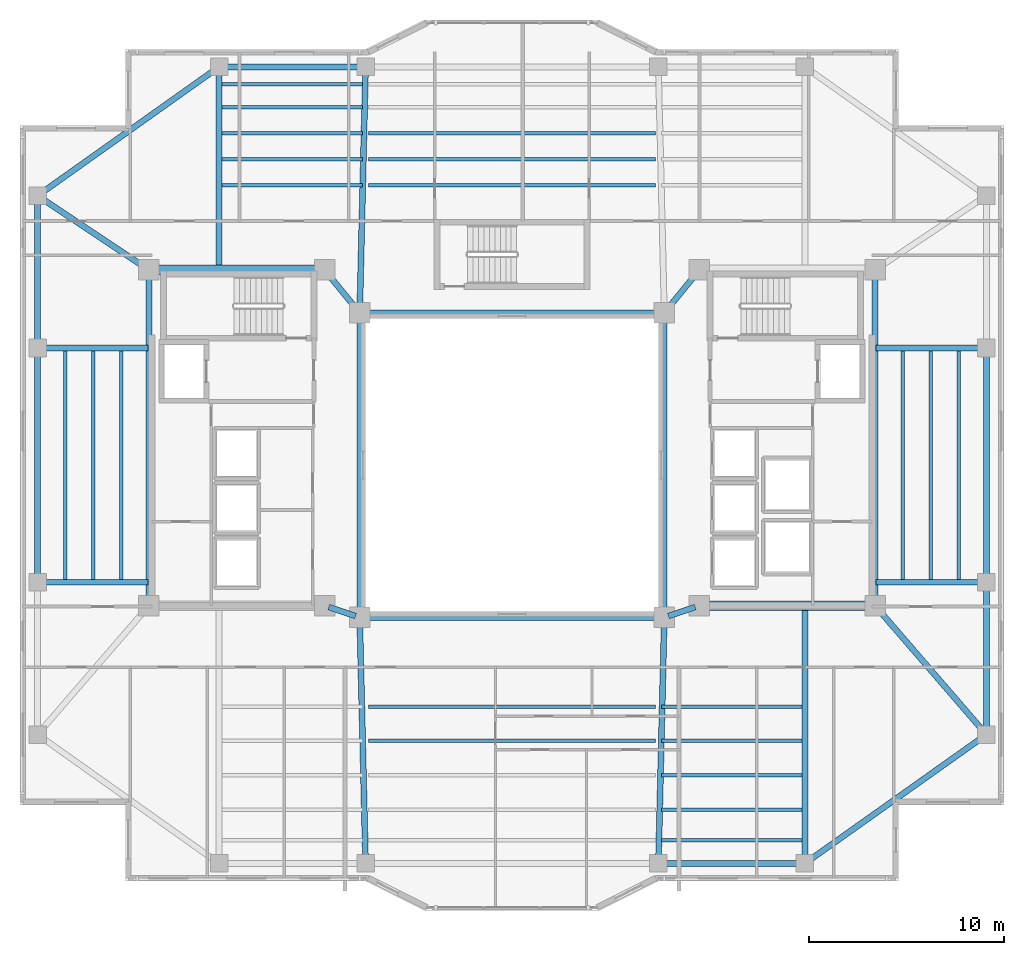
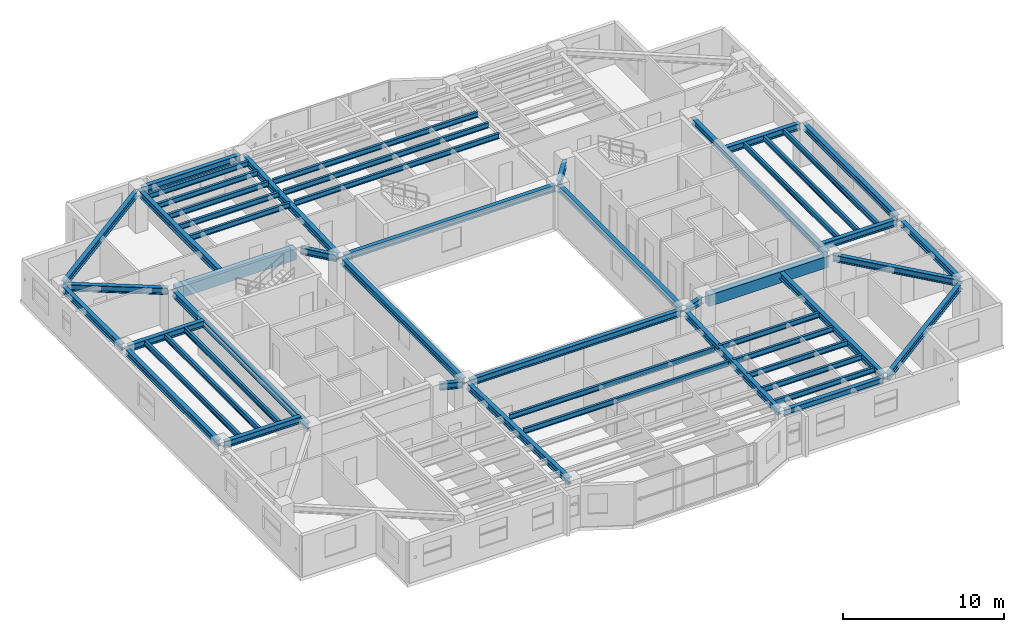
# One storey, part 3 of 15: 52 beams.
"""IFC4 building model written with IfcOpenShell, lengths in metres."""

from ifc_helpers import new_model, si_unit, direction, frame, origin, origin_2d, place, context, subcontext, project, spatial, rectangle, i_section, extrude, material, material_profile, profile_set, type_object, element, save


model = new_model("IFC4")

# Units and contexts
model_context = context("Model", 3, precision=1e-05, world=origin(), true_north=direction((0.0, 1.0)))
body_context = subcontext(model_context, "Body", "Model", "MODEL_VIEW")
ifc_project = project(units=[si_unit("LENGTHUNIT", "METRE"), si_unit("AREAUNIT", "SQUARE_METRE"), si_unit("VOLUMEUNIT", "CUBIC_METRE"), si_unit("PLANEANGLEUNIT", "RADIAN"), si_unit("MASSUNIT", "GRAM", prefix="KILO")], contexts=[model_context])

# Site, building, storey
site_placement = place(None, origin())
site = spatial("IfcSite", under=ifc_project, at=site_placement, CompositionType="ELEMENT")
building_placement = place(site_placement, origin())
building = spatial("IfcBuilding", under=site, at=building_placement, Name="Tarnavaz Court Tower", CompositionType="ELEMENT")
storey_placement = place(building_placement, frame((0.0, 0.0, 139.300048828125)))
storey = spatial("IfcBuildingStorey", under=building, at=storey_placement, Name="L37", CompositionType="ELEMENT", Elevation=139.300048828125)

# Beams
ifc_material_1 = material(Name="Concrete C50/60", Category="concrete")
ifc_material_profile_1 = material_profile(ifc_material_1, rectangle(XDim=0.5, YDim=0.85009765625, at=origin_2d()), Name="RC 500X850")
ifc_profile_set_1 = profile_set([ifc_material_profile_1], Name="Concrete C50/60")
beam_type_1 = type_object("IfcBeamType", Name="BM-CB850", PredefinedType="LINTEL", material=ifc_profile_set_1)
for number, where, z_axis, x_axis, name in (
    (1, (-18.3798828125, 10.0, 2.675048828125), (1.0, 0.0, 0.0), (0.0, 1.0, 0.0), "L37 Beam IN-CW-NO-CW-NI"),
    (2, (18.3798828125, -7.199951171875, 2.675048828125), (-1.0, 0.0, 0.0), (0.0, -1.0, 0.0), "L37 Beam IN-CE-SO-CE-SI"),
):
    element("IfcBeam", number, at=place(storey_placement, frame(where, z_axis=z_axis, x_axis=x_axis)), inside=storey, type_object=beam_type_1, Name=name, PredefinedType="LINTEL", context=body_context, shape_type="SweptSolid", body=[
        extrude(rectangle(XDim=0.5, YDim=0.85009765625, at=origin_2d()), origin(), (0.0, 0.0, 1.0), 8.559814453125),
    ])
ifc_material_2 = material(Name="Steel S355", Category="steel")
ifc_material_profile_2 = material_profile(ifc_material_2, i_section(OverallWidth=0.300048828125, OverallDepth=0.5, WebThickness=0.014404296875, FlangeThickness=0.028076171875, FilletRadius=0.027099609375, at=origin_2d()), Name="HEB 500")
ifc_profile_set_2 = profile_set([ifc_material_profile_2], Name="Steel S355")
beam_type_2 = type_object("IfcBeamType", Name="BM-G-HEB500", PredefinedType="USERDEFINED", material=ifc_profile_set_2)
for number, where, z_axis, x_axis, name in (
    (3, (-9.391357421875, -7.26953125, 2.849853515625), (0.948666544706, -0.316278021615, 0.0), (0.316278021615, 0.948666544706, 0.0), "L37 Beam IN-CW-SI-IW-SW"),
    (4, (9.391357421875, -7.26953125, 2.849853515625), (-0.948666544706, -0.316278021615, 0.0), (0.316278021615, -0.948666544706, 0.0), "L37 Beam IN-CE-SI-IW-SE"),
):
    element("IfcBeam", number, at=place(storey_placement, frame(where, z_axis=z_axis, x_axis=x_axis)), inside=storey, type_object=beam_type_2, Name=name, ObjectType="GIRDER", PredefinedType="USERDEFINED", context=body_context, shape_type="SweptSolid", body=[
        extrude(i_section(OverallWidth=0.300048828125, OverallDepth=0.5, WebThickness=0.014404296875, FlangeThickness=0.028076171875, FilletRadius=0.027099609375, at=origin_2d()), origin(), (0.0, 0.0, 1.0), 1.457275390625),
    ])
for number, where, z_axis, x_axis, name in (
    (5, (-9.460693359375, 9.82958984375, 2.849853515625), (0.633282058357, -0.773921077735, 0.0), (0.773921077735, 0.633282058357, 0.0), "L37 Beam IN-CW-NI-IW-NW"),
    (6, (9.460693359375, 9.82958984375, 2.849853515625), (-0.633282058357, -0.773921077735, 0.0), (0.773921077735, -0.633282058357, 0.0), "L37 Beam IN-CE-NI-IW-NE"),
):
    element("IfcBeam", number, at=place(storey_placement, frame(where, z_axis=z_axis, x_axis=x_axis)), inside=storey, type_object=beam_type_2, Name=name, ObjectType="GIRDER", PredefinedType="USERDEFINED", context=body_context, shape_type="SweptSolid", body=[
        extrude(i_section(OverallWidth=0.300048828125, OverallDepth=0.5, WebThickness=0.014404296875, FlangeThickness=0.028076171875, FilletRadius=0.027099609375, at=origin_2d()), origin(), (0.0, 0.0, 1.0), 2.402587890625),
    ])
for number, where, z_axis, x_axis, name in (
    (7, (-18.60009765625, -6.97998046875, 2.849853515625), (0.0, 1.0, 0.0), (-1.0, 0.0, 0.0), "L37 Beam IN-CW-SO-CW-NO"),
    (8, (18.60009765625, -6.97998046875, 2.849853515625), (0.0, 1.0, 0.0), (-1.0, 0.0, 0.0), "L37 Beam IN-CE-SO-CE-NO"),
):
    element("IfcBeam", number, at=place(storey_placement, frame(where, z_axis=z_axis, x_axis=x_axis)), inside=storey, type_object=beam_type_2, Name=name, ObjectType="GIRDER", PredefinedType="USERDEFINED", context=body_context, shape_type="SweptSolid", body=[
        extrude(i_section(OverallWidth=0.300048828125, OverallDepth=0.5, WebThickness=0.014404296875, FlangeThickness=0.028076171875, FilletRadius=0.027099609375, at=origin_2d()), origin(), (0.0, 0.0, 1.0), 16.760009765625),
    ])
beam_1_placement = place(storey_placement, frame((-15.0, 10.0400390625, 2.849853515625), z_axis=(0.0, 1.0, 0.0), x_axis=(-1.0, 0.0, 0.0)))
element("IfcBeam", 9, at=beam_1_placement, inside=storey, type_object=beam_type_2, Name="L37 Beam RG-01", ObjectType="GIRDER", PredefinedType="USERDEFINED", context=body_context, shape_type="SweptSolid", body=[
    extrude(i_section(OverallWidth=0.300048828125, OverallDepth=0.5, WebThickness=0.014404296875, FlangeThickness=0.028076171875, FilletRadius=0.027099609375, at=origin_2d()), origin(), (0.0, 0.0, 1.0), 10.139892578125),
])
for number, where, z_axis, x_axis, name in (
    (10, (-7.794921875, 8.02001953125, 2.849853515625), (0.023824748444, 0.999716150395, 0.0), (-0.999716150395, 0.023824748444, 0.0), "L37 Beam RG-02"),
    (11, (-7.794921875, -8.02001953125, 2.849853515625), (0.023824748444, -0.999716150395, 0.0), (0.999716150395, 0.023824748444, 0.0), "L37 Beam RG-06"),
    (12, (7.794921875, -8.02001953125, 2.849853515625), (-0.023824748444, -0.999716150395, 0.0), (0.999716150395, -0.023824748444, 0.0), "L37 Beam RG-07"),
):
    element("IfcBeam", number, at=place(storey_placement, frame(where, z_axis=z_axis, x_axis=x_axis)), inside=storey, type_object=beam_type_2, Name=name, ObjectType="GIRDER", PredefinedType="USERDEFINED", context=body_context, shape_type="SweptSolid", body=[
        extrude(i_section(OverallWidth=0.300048828125, OverallDepth=0.5, WebThickness=0.014404296875, FlangeThickness=0.028076171875, FilletRadius=0.027099609375, at=origin_2d()), origin(), (0.0, 0.0, 1.0), 12.16357421875),
    ])
beam_2_placement = place(storey_placement, frame((15.0, -7.239990234375, 2.849853515625), z_axis=(0.0, -1.0, 0.0), x_axis=(1.0, 0.0, 0.0)))
element("IfcBeam", 13, at=beam_2_placement, inside=storey, type_object=beam_type_2, Name="L37 Beam RG-08", ObjectType="GIRDER", PredefinedType="USERDEFINED", context=body_context, shape_type="SweptSolid", body=[
    extrude(i_section(OverallWidth=0.300048828125, OverallDepth=0.5, WebThickness=0.014404296875, FlangeThickness=0.028076171875, FilletRadius=0.027099609375, at=origin_2d()), origin(), (0.0, 0.0, 1.0), 12.93994140625),
])
for number, where, z_axis, x_axis, name in (
    (14, (18.639892578125, -6.0, 2.849853515625), (1.0, 0.0, 0.0), (0.0, 1.0, 0.0), "L37 Beam RG-09"),
    (15, (18.639892578125, 6.0, 2.849853515625), (1.0, 0.0, 0.0), (0.0, 1.0, 0.0), "L37 Beam RG-10"),
):
    element("IfcBeam", number, at=place(storey_placement, frame(where, z_axis=z_axis, x_axis=x_axis)), inside=storey, type_object=beam_type_2, Name=name, ObjectType="GIRDER", PredefinedType="USERDEFINED", context=body_context, shape_type="SweptSolid", body=[
        extrude(i_section(OverallWidth=0.300048828125, OverallDepth=0.5, WebThickness=0.014404296875, FlangeThickness=0.028076171875, FilletRadius=0.027099609375, at=origin_2d()), origin(), (0.0, 0.0, 1.0), 5.440185546875),
    ])
beam_3_placement = place(storey_placement, frame((18.743896484375, -7.366455078125, 2.849853515625), z_axis=(0.653610659012, -0.756830962914, 0.0), x_axis=(0.756830962914, 0.653610659012, 0.0)))
element("IfcBeam", 16, at=beam_3_placement, inside=storey, type_object=beam_type_2, Name="L37 Beam RG-11", ObjectType="GIRDER", PredefinedType="USERDEFINED", context=body_context, shape_type="SweptSolid", body=[
    extrude(i_section(OverallWidth=0.300048828125, OverallDepth=0.5, WebThickness=0.014404296875, FlangeThickness=0.028076171875, FilletRadius=0.027099609375, at=origin_2d()), origin(), (0.0, 0.0, 1.0), 8.28076171875),
])
for number, where, z_axis, x_axis, name in (
    (17, (-18.639892578125, -6.0, 2.849853515625), (-1.0, 0.0, 0.0), (0.0, -1.0, 0.0), "L37 Beam RG-13"),
    (18, (-18.639892578125, 6.0, 2.849853515625), (-1.0, 0.0, 0.0), (0.0, -1.0, 0.0), "L37 Beam RG-14"),
):
    element("IfcBeam", number, at=place(storey_placement, frame(where, z_axis=z_axis, x_axis=x_axis)), inside=storey, type_object=beam_type_2, Name=name, ObjectType="GIRDER", PredefinedType="USERDEFINED", context=body_context, shape_type="SweptSolid", body=[
        extrude(i_section(OverallWidth=0.300048828125, OverallDepth=0.5, WebThickness=0.014404296875, FlangeThickness=0.028076171875, FilletRadius=0.027099609375, at=origin_2d()), origin(), (0.0, 0.0, 1.0), 5.440185546875),
    ])
beam_4_placement = place(storey_placement, frame((-18.783203125, 10.1220703125, 2.849853515625), z_axis=(-0.832044435051, 0.554708985056, 0.0), x_axis=(-0.554708985056, -0.832044435051, 0.0)))
element("IfcBeam", 19, at=beam_4_placement, inside=storey, type_object=beam_type_2, Name="L37 Beam RG-16", ObjectType="GIRDER", PredefinedType="USERDEFINED", context=body_context, shape_type="SweptSolid", body=[
    extrude(i_section(OverallWidth=0.300048828125, OverallDepth=0.5, WebThickness=0.014404296875, FlangeThickness=0.028076171875, FilletRadius=0.027099609375, at=origin_2d()), origin(), (0.0, 0.0, 1.0), 6.410400390625),
])
ifc_material_profile_3 = material_profile(ifc_material_2, i_section(OverallWidth=0.179931640625, OverallDepth=0.39990234375, WebThickness=0.008544921875, FlangeThickness=0.013427734375, FilletRadius=0.02099609375, at=origin_2d()), Name="IPE 400")
ifc_profile_set_3 = profile_set([ifc_material_profile_3], Name="Steel S355")
beam_type_3 = type_object("IfcBeamType", Name="BM-J-IPE400", PredefinedType="JOIST", material=ifc_profile_set_3)
beam_5_placement = place(storey_placement, frame((-14.85009765625, 14.33203125, 2.89990234375), z_axis=(1.0, 0.0, 0.0), x_axis=(0.0, 1.0, 0.0)))
element("IfcBeam", 20, at=beam_5_placement, inside=storey, type_object=beam_type_3, Name="L37 Beam JN1-1", PredefinedType="JOIST", context=body_context, shape_type="SweptSolid", body=[
    extrude(i_section(OverallWidth=0.179931640625, OverallDepth=0.39990234375, WebThickness=0.008544921875, FlangeThickness=0.013427734375, FilletRadius=0.02099609375, at=origin_2d()), origin(), (0.0, 0.0, 1.0), 7.2001953125),
])
for number, where, z_axis, x_axis, name in (
    (21, (-7.35009765625, 14.33203125, 2.89990234375), (1.0, 0.0, 0.0), (0.0, 1.0, 0.0), "L37 Beam JN1-2"),
    (22, (-7.35009765625, -12.364013671875, 2.89990234375), (1.0, 0.0, 0.0), (0.0, 1.0, 0.0), "L37 Beam JS1-2"),
):
    element("IfcBeam", number, at=place(storey_placement, frame(where, z_axis=z_axis, x_axis=x_axis)), inside=storey, type_object=beam_type_3, Name=name, PredefinedType="JOIST", context=body_context, shape_type="SweptSolid", body=[
        extrude(i_section(OverallWidth=0.179931640625, OverallDepth=0.39990234375, WebThickness=0.008544921875, FlangeThickness=0.013427734375, FilletRadius=0.02099609375, at=origin_2d()), origin(), (0.0, 0.0, 1.0), 14.7001953125),
    ])
for number, where, z_axis, x_axis, name in (
    (23, (7.64990234375, -12.364013671875, 2.89990234375), (1.0, 0.0, 0.0), (0.0, 1.0, 0.0), "L37 Beam JS1-3"),
    (24, (-14.85009765625, 15.6640625, 2.89990234375), (1.0, 0.0, 0.0), (0.0, 1.0, 0.0), "L37 Beam JN2-1"),
):
    element("IfcBeam", number, at=place(storey_placement, frame(where, z_axis=z_axis, x_axis=x_axis)), inside=storey, type_object=beam_type_3, Name=name, PredefinedType="JOIST", context=body_context, shape_type="SweptSolid", body=[
        extrude(i_section(OverallWidth=0.179931640625, OverallDepth=0.39990234375, WebThickness=0.008544921875, FlangeThickness=0.013427734375, FilletRadius=0.02099609375, at=origin_2d()), origin(), (0.0, 0.0, 1.0), 7.2001953125),
    ])
for number, where, z_axis, x_axis, name in (
    (25, (-7.35009765625, 15.6640625, 2.89990234375), (1.0, 0.0, 0.0), (0.0, 1.0, 0.0), "L37 Beam JN2-2"),
    (26, (-7.35009765625, -14.1279296875, 2.89990234375), (1.0, 0.0, 0.0), (0.0, 1.0, 0.0), "L37 Beam JS2-2"),
):
    element("IfcBeam", number, at=place(storey_placement, frame(where, z_axis=z_axis, x_axis=x_axis)), inside=storey, type_object=beam_type_3, Name=name, PredefinedType="JOIST", context=body_context, shape_type="SweptSolid", body=[
        extrude(i_section(OverallWidth=0.179931640625, OverallDepth=0.39990234375, WebThickness=0.008544921875, FlangeThickness=0.013427734375, FilletRadius=0.02099609375, at=origin_2d()), origin(), (0.0, 0.0, 1.0), 14.7001953125),
    ])
for number, where, z_axis, x_axis, name in (
    (27, (7.64990234375, -14.1279296875, 2.89990234375), (1.0, 0.0, 0.0), (0.0, 1.0, 0.0), "L37 Beam JS2-3"),
    (28, (-14.85009765625, 16.99609375, 2.89990234375), (1.0, 0.0, 0.0), (0.0, 1.0, 0.0), "L37 Beam JN3-1"),
):
    element("IfcBeam", number, at=place(storey_placement, frame(where, z_axis=z_axis, x_axis=x_axis)), inside=storey, type_object=beam_type_3, Name=name, PredefinedType="JOIST", context=body_context, shape_type="SweptSolid", body=[
        extrude(i_section(OverallWidth=0.179931640625, OverallDepth=0.39990234375, WebThickness=0.008544921875, FlangeThickness=0.013427734375, FilletRadius=0.02099609375, at=origin_2d()), origin(), (0.0, 0.0, 1.0), 7.2001953125),
    ])
beam_6_placement = place(storey_placement, frame((-7.35009765625, 16.99609375, 2.89990234375), z_axis=(1.0, 0.0, 0.0), x_axis=(0.0, 1.0, 0.0)))
element("IfcBeam", 29, at=beam_6_placement, inside=storey, type_object=beam_type_3, Name="L37 Beam JN3-2", PredefinedType="JOIST", context=body_context, shape_type="SweptSolid", body=[
    extrude(i_section(OverallWidth=0.179931640625, OverallDepth=0.39990234375, WebThickness=0.008544921875, FlangeThickness=0.013427734375, FilletRadius=0.02099609375, at=origin_2d()), origin(), (0.0, 0.0, 1.0), 14.7001953125),
])
for number, where, z_axis, x_axis, name in (
    (30, (7.64990234375, -15.89208984375, 2.89990234375), (1.0, 0.0, 0.0), (0.0, 1.0, 0.0), "L37 Beam JS3-3"),
    (31, (-14.85009765625, 18.327880859375, 2.89990234375), (1.0, 0.0, 0.0), (0.0, 1.0, 0.0), "L37 Beam JN4-1"),
    (32, (7.64990234375, -17.656005859375, 2.89990234375), (1.0, 0.0, 0.0), (0.0, 1.0, 0.0), "L37 Beam JS4-3"),
    (33, (-14.85009765625, 19.511962890625, 2.89990234375), (1.0, 0.0, 0.0), (0.0, 1.0, 0.0), "L37 Beam JN5-1"),
    (34, (7.64990234375, -19.22412109375, 2.89990234375), (1.0, 0.0, 0.0), (0.0, 1.0, 0.0), "L37 Beam JS5-3"),
):
    element("IfcBeam", number, at=place(storey_placement, frame(where, z_axis=z_axis, x_axis=x_axis)), inside=storey, type_object=beam_type_3, Name=name, PredefinedType="JOIST", context=body_context, shape_type="SweptSolid", body=[
        extrude(i_section(OverallWidth=0.179931640625, OverallDepth=0.39990234375, WebThickness=0.008544921875, FlangeThickness=0.013427734375, FilletRadius=0.02099609375, at=origin_2d()), origin(), (0.0, 0.0, 1.0), 7.2001953125),
    ])
for number, where, z_axis, x_axis, name in (
    (35, (20.02490234375, -5.9599609375, 2.89990234375), (0.0, 1.0, 0.0), (-1.0, 0.0, 0.0), "L37 Beam JE1"),
    (36, (-20.02490234375, -5.9599609375, 2.89990234375), (0.0, 1.0, 0.0), (-1.0, 0.0, 0.0), "L37 Beam JW1"),
    (37, (21.449951171875, -5.9599609375, 2.89990234375), (0.0, 1.0, 0.0), (-1.0, 0.0, 0.0), "L37 Beam JE2"),
    (38, (-21.449951171875, -5.9599609375, 2.89990234375), (0.0, 1.0, 0.0), (-1.0, 0.0, 0.0), "L37 Beam JW2"),
    (39, (22.875, -5.9599609375, 2.89990234375), (0.0, 1.0, 0.0), (-1.0, 0.0, 0.0), "L37 Beam JE3"),
    (40, (-22.875, -5.9599609375, 2.89990234375), (0.0, 1.0, 0.0), (-1.0, 0.0, 0.0), "L37 Beam JW3"),
):
    element("IfcBeam", number, at=place(storey_placement, frame(where, z_axis=z_axis, x_axis=x_axis)), inside=storey, type_object=beam_type_3, Name=name, PredefinedType="JOIST", context=body_context, shape_type="SweptSolid", body=[
        extrude(i_section(OverallWidth=0.179931640625, OverallDepth=0.39990234375, WebThickness=0.008544921875, FlangeThickness=0.013427734375, FilletRadius=0.02099609375, at=origin_2d()), origin(), (0.0, 0.0, 1.0), 11.919921875),
    ])
ifc_material_profile_4 = material_profile(ifc_material_2, i_section(OverallWidth=0.300048828125, OverallDepth=0.489990234375, WebThickness=0.011962890625, FlangeThickness=0.02294921875, FilletRadius=0.027099609375, at=origin_2d()), Name="HEA 500")
ifc_profile_set_4 = profile_set([ifc_material_profile_4], Name="Steel S355")
beam_type_4 = type_object("IfcBeamType", Name="BM-SP-HEA500", PredefinedType="SPANDREL", material=ifc_profile_set_4)
for number, where, z_axis, x_axis, name in (
    (41, (-7.580078125, -7.800048828125, 2.85498046875), (1.0, 0.0, 0.0), (0.0, 1.0, 0.0), "L37 Beam IN-IW-SW-IW-SE"),
    (42, (-7.580078125, 7.800048828125, 2.85498046875), (1.0, 0.0, 0.0), (0.0, 1.0, 0.0), "L37 Beam IN-IW-NW-IW-NE"),
    (43, (-7.800048828125, -7.580078125, 2.85498046875), (0.0, 1.0, 0.0), (-1.0, 0.0, 0.0), "L37 Beam IN-IW-SW-IW-NW"),
    (44, (7.800048828125, -7.580078125, 2.85498046875), (0.0, 1.0, 0.0), (-1.0, 0.0, 0.0), "L37 Beam IN-IW-SE-IW-NE"),
):
    element("IfcBeam", number, at=place(storey_placement, frame(where, z_axis=z_axis, x_axis=x_axis)), inside=storey, type_object=beam_type_4, Name=name, PredefinedType="SPANDREL", context=body_context, shape_type="SweptSolid", body=[
        extrude(i_section(OverallWidth=0.300048828125, OverallDepth=0.489990234375, WebThickness=0.011962890625, FlangeThickness=0.02294921875, FilletRadius=0.027099609375, at=origin_2d()), origin(), (0.0, 0.0, 1.0), 15.16015625),
    ])
for number, where, z_axis, x_axis, name in (
    (45, (-14.780029296875, 20.39990234375, 2.85498046875), (1.0, 0.0, 0.0), (0.0, 1.0, 0.0), "L37 Beam PR-PN-1-PN-2"),
    (46, (7.719970703125, -20.39990234375, 2.85498046875), (1.0, 0.0, 0.0), (0.0, 1.0, 0.0), "L37 Beam PR-PS-3-PS-4"),
):
    element("IfcBeam", number, at=place(storey_placement, frame(where, z_axis=z_axis, x_axis=x_axis)), inside=storey, type_object=beam_type_4, Name=name, PredefinedType="SPANDREL", context=body_context, shape_type="SweptSolid", body=[
        extrude(i_section(OverallWidth=0.300048828125, OverallDepth=0.489990234375, WebThickness=0.011962890625, FlangeThickness=0.02294921875, FilletRadius=0.027099609375, at=origin_2d()), origin(), (0.0, 0.0, 1.0), 7.06005859375),
    ])
beam_7_placement = place(storey_placement, frame((24.300048828125, -13.580078125, 2.85498046875), z_axis=(0.0, 1.0, 0.0), x_axis=(-1.0, 0.0, 0.0)))
element("IfcBeam", 47, at=beam_7_placement, inside=storey, type_object=beam_type_4, Name="L37 Beam PR-PE-1-PE-2", PredefinedType="SPANDREL", context=body_context, shape_type="SweptSolid", body=[
    extrude(i_section(OverallWidth=0.300048828125, OverallDepth=0.489990234375, WebThickness=0.011962890625, FlangeThickness=0.02294921875, FilletRadius=0.027099609375, at=origin_2d()), origin(), (0.0, 0.0, 1.0), 7.360107421875),
])
for number, where, z_axis, x_axis, name in (
    (48, (24.300048828125, -5.780029296875, 2.85498046875), (0.0, 1.0, 0.0), (-1.0, 0.0, 0.0), "L37 Beam PR-PE-2-PE-3"),
    (49, (-24.300048828125, -5.780029296875, 2.85498046875), (0.0, 1.0, 0.0), (-1.0, 0.0, 0.0), "L37 Beam PR-PW-2-PW-3"),
):
    element("IfcBeam", number, at=place(storey_placement, frame(where, z_axis=z_axis, x_axis=x_axis)), inside=storey, type_object=beam_type_4, Name=name, PredefinedType="SPANDREL", context=body_context, shape_type="SweptSolid", body=[
        extrude(i_section(OverallWidth=0.300048828125, OverallDepth=0.489990234375, WebThickness=0.011962890625, FlangeThickness=0.02294921875, FilletRadius=0.027099609375, at=origin_2d()), origin(), (0.0, 0.0, 1.0), 11.56005859375),
    ])
beam_8_placement = place(storey_placement, frame((-24.300048828125, 6.219970703125, 2.85498046875), z_axis=(0.0, 1.0, 0.0), x_axis=(-1.0, 0.0, 0.0)))
element("IfcBeam", 50, at=beam_8_placement, inside=storey, type_object=beam_type_4, Name="L37 Beam PR-PW-3-PW-4", PredefinedType="SPANDREL", context=body_context, shape_type="SweptSolid", body=[
    extrude(i_section(OverallWidth=0.300048828125, OverallDepth=0.489990234375, WebThickness=0.011962890625, FlangeThickness=0.02294921875, FilletRadius=0.027099609375, at=origin_2d()), origin(), (0.0, 0.0, 1.0), 7.360107421875),
])
for number, where, z_axis, x_axis, name in (
    (51, (24.12060546875, -13.92724609375, 2.85498046875), (-0.815502059396, -0.57875417158, 0.0), (0.57875417158, -0.815502059396, 0.0), "L37 Beam PR-PE-1-PS-4"),
    (52, (-24.12060546875, 13.92724609375, 2.85498046875), (0.815502059396, 0.57875417158, 0.0), (-0.57875417158, 0.815502059396, 0.0), "L37 Beam PR-PW-4-PN-1"),
):
    element("IfcBeam", number, at=place(storey_placement, frame(where, z_axis=z_axis, x_axis=x_axis)), inside=storey, type_object=beam_type_4, Name=name, PredefinedType="SPANDREL", context=body_context, shape_type="SweptSolid", body=[
        extrude(i_section(OverallWidth=0.300048828125, OverallDepth=0.489990234375, WebThickness=0.011962890625, FlangeThickness=0.02294921875, FilletRadius=0.027099609375, at=origin_2d()), origin(), (0.0, 0.0, 1.0), 10.964111328125),
    ])

save(model, "model.ifc")
